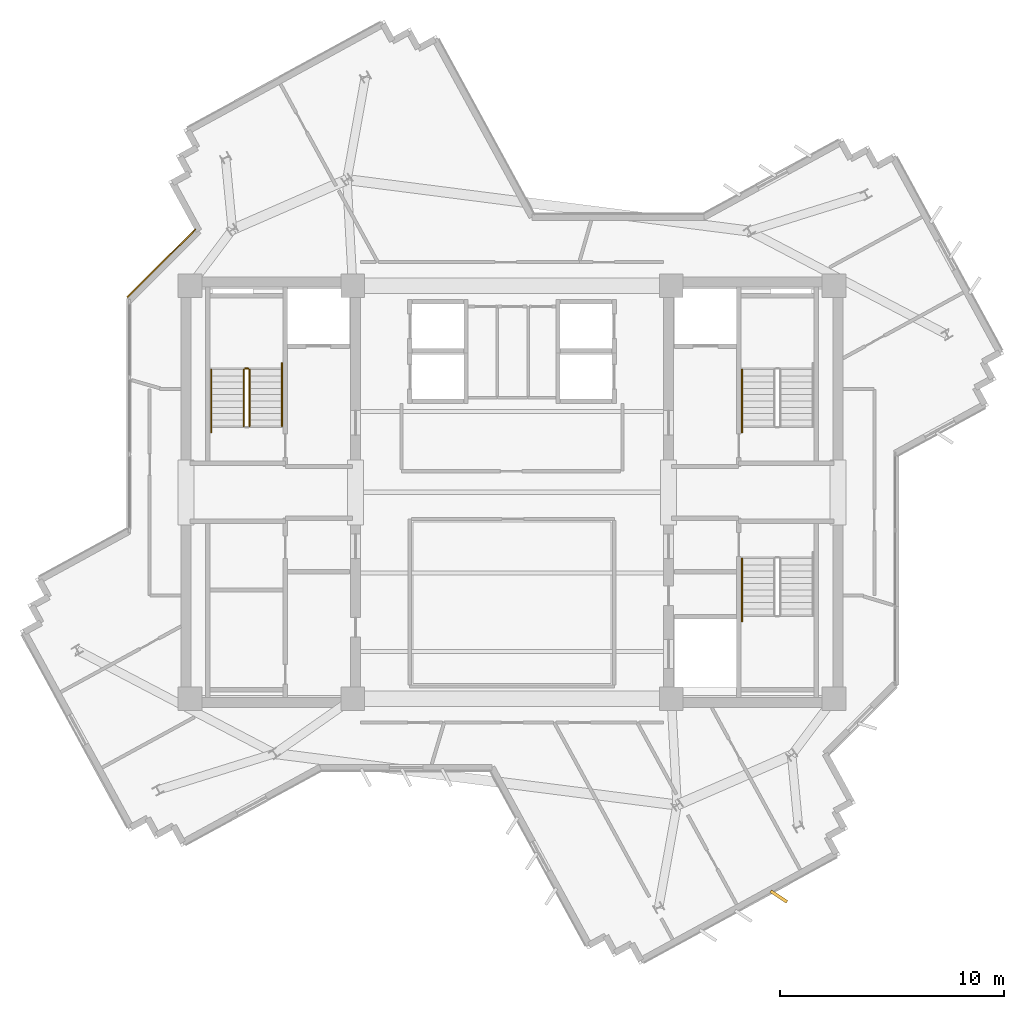
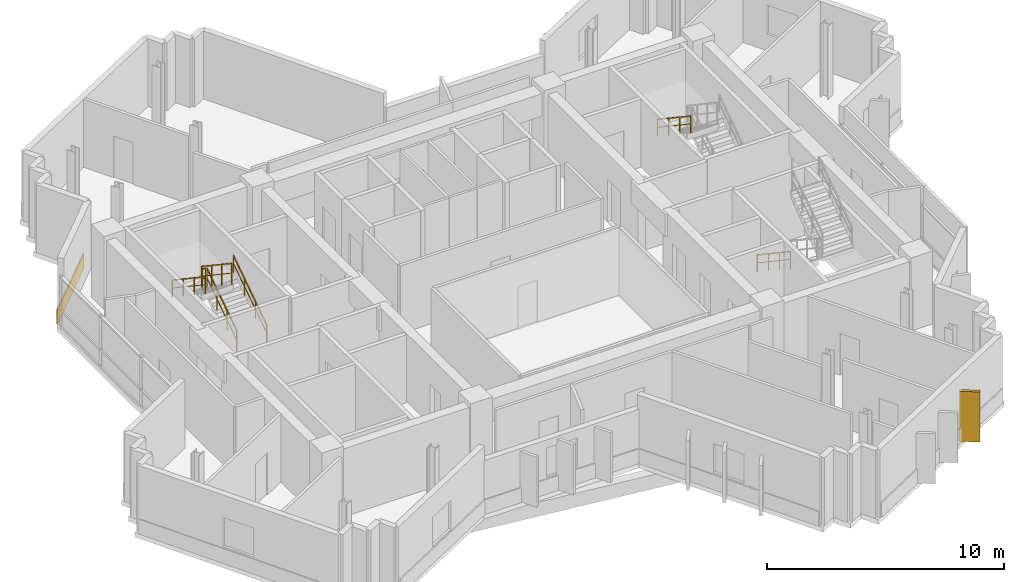
# One storey, part 11 of 13: 7 railings, 2 coverings.
"""IFC4 building model written with IfcOpenShell, lengths in metres."""

import ifcopenshell
import ifcopenshell.guid

model = None  # the IFC model being written
_history = None  # IfcOwnerHistory: only IFC2X3 demands one
_inside = {}  # id of a spatial element -> (the spatial element, [elements in it])
_under = {}  # id of a project, library or spatial element -> (it, [spatial elements below it])
_declared = {}  # id of a project -> (the project, [libraries it declares])
_typed = {}  # id of a type object -> (the type object, [elements of that type])
_made_of = {}  # id of a material, layer set ... -> (it, [elements and type objects made of it])


def new_model(schema):
    """Start an empty IFC model of exactly this schema.

    Asked for "IFC4X3", IfcOpenShell would pick the latest addendum, in which some entities
    have other attributes; the version numbers below select the first issue.
    IFC2X3 requires an IfcOwnerHistory on every rooted entity: one is made here for all.
    """
    global model, _history
    if schema == "IFC4X3":
        model = ifcopenshell.file(schema_version=(4, 3, 0, 0))
    else:
        model = ifcopenshell.file(schema=schema)
    _inside.clear()
    _under.clear()
    _declared.clear()
    _typed.clear()
    _made_of.clear()
    _history = None
    if model.schema == "IFC2X3":
        org = make("IfcOrganization", Name="unknown")
        user = make(
            "IfcPersonAndOrganization",
            ThePerson=make("IfcPerson", FamilyName="unknown"),
            TheOrganization=org,
        )
        app = make(
            "IfcApplication",
            ApplicationDeveloper=org,
            Version="unknown",
            ApplicationFullName="unknown",
            ApplicationIdentifier="unknown",
        )
        _history = make(
            "IfcOwnerHistory",
            OwningUser=user,
            OwningApplication=app,
            ChangeAction="ADDED",
            CreationDate=0,
        )
    return model


def make(cls, **values):
    """One entity of the class cls with the attributes given. An attribute that is None is left unset."""
    return model.create_entity(
        cls, **{name: value for name, value in values.items() if value is not None}
    )


def rooted(cls, **values):
    """An entity with a GlobalId (a new one), such as an element, a storey or a relation."""
    return make(cls, GlobalId=ifcopenshell.guid.new(), OwnerHistory=_history, **values)


def si_unit(unit_type, name, prefix=None):
    """IfcSIUnit, for example si_unit("LENGTHUNIT", "METRE", prefix="MILLI")."""
    return make("IfcSIUnit", UnitType=unit_type, Prefix=prefix, Name=name)


def assignment(units):
    """IfcUnitAssignment: the units of a project."""
    return None if units is None else make("IfcUnitAssignment", Units=units)


def point(xyz):
    """IfcCartesianPoint."""
    return None if xyz is None else make("IfcCartesianPoint", Coordinates=xyz)


def direction(xyz):
    """IfcDirection."""
    return None if xyz is None else make("IfcDirection", DirectionRatios=xyz)


def frame(location, z_axis=None, x_axis=None):
    """IfcAxis2Placement3D, a coordinate frame: its origin and axes. An axis left out is left unset."""
    return make(
        "IfcAxis2Placement3D",
        Location=point(location),
        Axis=direction(z_axis),
        RefDirection=direction(x_axis),
    )


def frame_2d(location, x_axis=None):
    """IfcAxis2Placement2D, a coordinate frame in the plane: its origin and x axis."""
    return make(
        "IfcAxis2Placement2D", Location=point(location), RefDirection=direction(x_axis)
    )


def origin():
    """The frame at (0, 0, 0) with its axes left unset."""
    return frame((0.0, 0.0, 0.0))


def origin_2d():
    """The frame at (0, 0) in the plane with its x axis left unset."""
    return frame_2d((0.0, 0.0))


def place(relative_to, where):
    """IfcLocalPlacement: puts the frame where relative to a parent placement (None: the world)."""
    return make(
        "IfcLocalPlacement", PlacementRelTo=relative_to, RelativePlacement=where
    )


def context(
    kind, dimensions, precision=None, world=None, true_north=None, identifier=None
):
    """IfcGeometricRepresentationContext, for example the 3D "Model" context."""
    return make(
        "IfcGeometricRepresentationContext",
        ContextIdentifier=identifier,
        ContextType=kind,
        CoordinateSpaceDimension=dimensions,
        Precision=precision,
        WorldCoordinateSystem=world,
        TrueNorth=true_north,
    )


def subcontext(parent, identifier, kind, view, scale=None):
    """IfcGeometricRepresentationSubContext, for example "Body" below "Model"."""
    return make(
        "IfcGeometricRepresentationSubContext",
        ContextIdentifier=identifier,
        ContextType=kind,
        ParentContext=parent,
        TargetScale=scale,
        TargetView=view,
    )


def project(units=None, contexts=None):
    """IfcProject with its units and contexts."""
    return rooted(
        "IfcProject",
        Name="project",
        RepresentationContexts=contexts,
        UnitsInContext=assignment(units),
    )


def spatial(cls, under=None, at=None, **own):
    """A site, building, storey or space (cls), placed at a placement, below another one or the project."""
    s = rooted(cls, ObjectPlacement=at, **own)
    if under is not None:
        _under.setdefault(under.id(), (under, []))[1].append(s)
    return s


def profile(cls, at=None, kind="AREA", **sizes):
    """A parametric profile (cls). Its sizes go by their IFC names, for example OverallWidth=200.0."""
    return make(cls, ProfileType=kind, Position=at, **sizes)


def rectangle(**sizes):
    """IfcRectangleProfileDef."""
    return profile("IfcRectangleProfileDef", **sizes)


def extrude(swept, where, along, depth):
    """IfcExtrudedAreaSolid: the profile swept, set in the frame where, extruded along a direction by depth."""
    return make(
        "IfcExtrudedAreaSolid",
        SweptArea=swept,
        Position=where,
        ExtrudedDirection=direction(along),
        Depth=depth,
    )


def shape(context_of_items, identifier, shape_type, items):
    """IfcShapeRepresentation: the items that make up one representation, for example the "Body"."""
    return make(
        "IfcShapeRepresentation",
        ContextOfItems=context_of_items,
        RepresentationIdentifier=identifier,
        RepresentationType=shape_type,
        Items=items,
    )


def source(mapping_origin, context_of_items, identifier, shape_type, items):
    """IfcRepresentationMap: a shape defined once, which mapped items show again and again."""
    return make(
        "IfcRepresentationMap",
        MappingOrigin=mapping_origin,
        MappedRepresentation=shape(context_of_items, identifier, shape_type, items),
    )


def transform(
    local_origin,
    x_axis=None,
    y_axis=None,
    z_axis=None,
    scale=None,
    scale2=None,
    scale3=None,
    uniform=True,
):
    """IfcCartesianTransformationOperator3D, or its non-uniform kind. x_axis, y_axis, z_axis: its Axis1, 2, 3."""
    if uniform:
        return make(
            "IfcCartesianTransformationOperator3D",
            Axis1=direction(x_axis),
            Axis2=direction(y_axis),
            LocalOrigin=point(local_origin),
            Scale=scale,
            Axis3=direction(z_axis),
        )
    return make(
        "IfcCartesianTransformationOperator3DnonUniform",
        Axis1=direction(x_axis),
        Axis2=direction(y_axis),
        LocalOrigin=point(local_origin),
        Scale=scale,
        Axis3=direction(z_axis),
        Scale2=scale2,
        Scale3=scale3,
    )


def mapped(mapping_source, mapping_target):
    """IfcMappedItem: shows the shape of a source again, moved by a transform."""
    return make(
        "IfcMappedItem", MappingSource=mapping_source, MappingTarget=mapping_target
    )


def material(Name=None, Category=None):
    """IfcMaterial."""
    return make("IfcMaterial", Name=Name, Category=Category)


def layer(
    of_material, thickness, ventilated=None, Name=None, Category=None, Priority=None
):
    """IfcMaterialLayer: one layer of a wall or slab, of a material (None: an air gap)."""
    return make(
        "IfcMaterialLayer",
        Material=of_material,
        LayerThickness=thickness,
        IsVentilated=ventilated,
        Name=Name,
        Category=Category,
        Priority=Priority,
    )


def layer_set(layers, Name=None):
    """IfcMaterialLayerSet."""
    return make("IfcMaterialLayerSet", MaterialLayers=layers, LayerSetName=Name)


def made_of(thing, what):
    """Note that an element or type object is made of a material, layer set ...; save() writes the relation."""
    if what is not None:
        _made_of.setdefault(what.id(), (what, []))[1].append(thing)
    return thing


def type_object(cls, material=None, **own):
    """A type object (cls), such as IfcWallType, which elements share."""
    return made_of(rooted(cls, **own), material)


def element(
    cls,
    number,
    at=None,
    inside=None,
    cuts=None,
    type_object=None,
    material=None,
    context=None,
    identifier="Body",
    shape_type=None,
    held_by="IfcProductDefinitionShape",
    body=None,
    shapes=None,
    **own,
):
    """One element of the class cls, such as IfcWall. Its Tag is "e" and its number.

    at: its placement. inside: the storey or other place that contains it. cuts: it is an
    opening in that element (IfcRelVoidsElement). A single representation is given by context,
    identifier, shape_type and body (its items); several are given by shapes. held_by: the class
    of the entity that holds the representations. save() writes the other relations.
    """
    e = rooted(cls, Tag="e%d" % number, ObjectPlacement=at, **own)
    if body is not None:
        shapes = [shape(context, identifier, shape_type, body)]
    if shapes is not None:
        e.Representation = make(held_by, Representations=shapes)
    if inside is not None:
        _inside.setdefault(inside.id(), (inside, []))[1].append(e)
    if cuts is not None:
        rooted(
            "IfcRelVoidsElement", RelatingBuildingElement=cuts, RelatedOpeningElement=e
        )
    if type_object is not None:
        _typed.setdefault(type_object.id(), (type_object, []))[1].append(e)
    return made_of(e, material)


def aggregate(whole, parts):
    """IfcRelAggregates: a whole, such as a stair, and the parts it consists of."""
    return rooted("IfcRelAggregates", RelatingObject=whole, RelatedObjects=parts)


def save(model, path):
    """Write the relations noted so far, then the file.

    IfcRelAggregates (storeys below a building ...), IfcRelContainedInSpatialStructure (elements
    in a storey), IfcRelDefinesByType, IfcRelAssociatesMaterial and IfcRelDeclares: one each for
    every whole, place, type object, material and project.
    """
    for whole, parts in _under.values():
        aggregate(whole, parts)
    for where, things in _inside.values():
        rooted(
            "IfcRelContainedInSpatialStructure",
            RelatedElements=things,
            RelatingStructure=where,
        )
    for kind, things in _typed.values():
        rooted("IfcRelDefinesByType", RelatedObjects=things, RelatingType=kind)
    for what, things in _made_of.values():
        rooted("IfcRelAssociatesMaterial", RelatedObjects=things, RelatingMaterial=what)
    for by, libraries in _declared.values():
        rooted("IfcRelDeclares", RelatingContext=by, RelatedDefinitions=libraries)
    model.write(path)


model = new_model("IFC4")

# Units and contexts
model_context = context("Model", 3, precision=1e-05, world=origin(), true_north=direction((0.0, 1.0)))
body_context = subcontext(model_context, "Body", "Model", "MODEL_VIEW")
ifc_project = project(units=[si_unit("LENGTHUNIT", "METRE"), si_unit("AREAUNIT", "SQUARE_METRE"), si_unit("VOLUMEUNIT", "CUBIC_METRE"), si_unit("PLANEANGLEUNIT", "RADIAN"), si_unit("MASSUNIT", "GRAM", prefix="KILO")], contexts=[model_context])

# Site, building, storey
site_placement = place(None, origin())
site = spatial("IfcSite", under=ifc_project, at=site_placement, CompositionType="ELEMENT")
building_placement = place(site_placement, origin())
building = spatial("IfcBuilding", under=site, at=building_placement, Name="Zahravan Cultural Tower", CompositionType="ELEMENT")
storey_placement = place(building_placement, frame((0.0, 0.0, 257.85009765625)))
storey = spatial("IfcBuildingStorey", under=building, at=storey_placement, Name="L61", CompositionType="ELEMENT", Elevation=257.85009765625)

# Railings
ifc_material_1 = material(Name="Steel ASTM A572 Grade 50", Category="steel")
railing_type_1 = type_object("IfcRailingType", Name="RL-STAIR-GRD1150", PredefinedType="BALUSTRADE", material=ifc_material_1)
railing_1_placement = place(storey_placement, frame((24.300048828125, 29.949951171875, 0.1875)))
element("IfcRailing", 1, at=railing_1_placement, inside=storey, type_object=railing_type_1, Name="L61 ST-W1 stair guard 1", PredefinedType="BALUSTRADE", context=body_context, shape_type="SweptSolid", body=[
    extrude(rectangle(XDim=0.05, YDim=0.05, at=origin_2d()), frame((0.0, 0.0, 1.0751953125), z_axis=(0.0, 0.830909170722, 0.55640807867), x_axis=(-1.0, 0.0, 0.0)), (0.0, 0.0, 1.0), 3.032958984375),
    extrude(rectangle(XDim=0.032, YDim=0.032, at=origin_2d()), frame((0.0, 0.0, 0.572021484375), z_axis=(0.0, 0.830909170722, 0.55640807867), x_axis=(-1.0, 0.0, 0.0)), (0.0, 0.0, 1.0), 3.032958984375),
    extrude(rectangle(XDim=0.04, YDim=0.04, at=origin_2d()), origin(), (0.0, 0.0, 1.0), 1.10009765625),
    extrude(rectangle(XDim=0.04, YDim=0.04, at=origin_2d()), frame((0.0, 0.840087890625, 0.5625)), (0.0, 0.0, 1.0), 1.10009765625),
    extrude(rectangle(XDim=0.04, YDim=0.04, at=origin_2d()), frame((0.0, 1.679931640625, 1.125)), (0.0, 0.0, 1.0), 1.10009765625),
    extrude(rectangle(XDim=0.04, YDim=0.04, at=origin_2d()), frame((0.0, 2.52001953125, 1.6875)), (0.0, 0.0, 1.0), 1.10009765625),
])
railing_2_placement = place(storey_placement, frame((24.25, 32.52001953125, 1.875)))
element("IfcRailing", 2, at=railing_2_placement, inside=storey, type_object=railing_type_1, Name="L61 ST-W1 stair guard 2", PredefinedType="BALUSTRADE", context=body_context, shape_type="SweptSolid", body=[
    extrude(rectangle(XDim=0.05, YDim=0.05, at=origin_2d()), frame((0.0, 0.0, 1.0751953125), z_axis=(-1.0, 0.0, 0.0), x_axis=(0.0, -1.0, 0.0)), (0.0, 0.0, 1.0), 0.14990234375),
    extrude(rectangle(XDim=0.032, YDim=0.032, at=origin_2d()), frame((0.0, 0.0, 0.572021484375), z_axis=(-1.0, 0.0, 0.0), x_axis=(0.0, -1.0, 0.0)), (0.0, 0.0, 1.0), 0.14990234375),
    extrude(rectangle(XDim=0.04, YDim=0.04, at=origin_2d()), origin(), (0.0, 0.0, 1.0), 1.10009765625),
    extrude(rectangle(XDim=0.04, YDim=0.04, at=origin_2d()), frame((-0.14990234375, 0.0, 0.0)), (0.0, 0.0, 1.0), 1.10009765625),
])
railing_3_placement = place(storey_placement, frame((24.050048828125, 32.469970703125, 2.0625)))
element("IfcRailing", 3, at=railing_3_placement, inside=storey, type_object=railing_type_1, Name="L61 ST-W1 stair guard 3", PredefinedType="BALUSTRADE", context=body_context, shape_type="SweptSolid", body=[
    extrude(rectangle(XDim=0.05, YDim=0.05, at=origin_2d()), frame((0.0, 0.0, 1.0751953125), z_axis=(0.0, -0.830909170722, 0.55640807867), x_axis=(1.0, 0.0, 0.0)), (0.0, 0.0, 1.0), 3.032958984375),
    extrude(rectangle(XDim=0.032, YDim=0.032, at=origin_2d()), frame((0.0, 0.0, 0.572021484375), z_axis=(0.0, -0.830909170722, 0.55640807867), x_axis=(1.0, 0.0, 0.0)), (0.0, 0.0, 1.0), 3.032958984375),
    extrude(rectangle(XDim=0.04, YDim=0.04, at=origin_2d()), origin(), (0.0, 0.0, 1.0), 1.10009765625),
    extrude(rectangle(XDim=0.04, YDim=0.04, at=origin_2d()), frame((0.0, -0.840087890625, 0.5625)), (0.0, 0.0, 1.0), 1.10009765625),
    extrude(rectangle(XDim=0.04, YDim=0.04, at=origin_2d()), frame((0.0, -1.679931640625, 1.125)), (0.0, 0.0, 1.0), 1.10009765625),
    extrude(rectangle(XDim=0.04, YDim=0.04, at=origin_2d()), frame((0.0, -2.52001953125, 1.6875)), (0.0, 0.0, 1.0), 1.10009765625),
])
railing_type_2 = type_object("IfcRailingType", Name="RL-STAIR-HR900", PredefinedType="HANDRAIL", material=ifc_material_1)
railing_4_placement = place(storey_placement, frame((25.75, 29.949951171875, 0.1875)))
element("IfcRailing", 4, at=railing_4_placement, inside=storey, type_object=railing_type_2, Name="L61 ST-W1 stair handrail 1", PredefinedType="HANDRAIL", context=body_context, shape_type="SweptSolid", body=[
    extrude(rectangle(XDim=0.05, YDim=0.05, at=origin_2d()), frame((0.0, 0.0, 0.875), z_axis=(0.0, 0.830911662861, 0.55640435703), x_axis=(-1.0, 0.0, 0.0)), (0.0, 0.0, 1.0), 3.369873046875),
    extrude(rectangle(XDim=0.032, YDim=0.032, at=origin_2d()), frame((0.0, 0.0, 0.468017578125), z_axis=(0.0, 0.830911662861, 0.55640435703), x_axis=(-1.0, 0.0, 0.0)), (0.0, 0.0, 1.0), 3.369873046875),
    extrude(rectangle(XDim=0.04, YDim=0.04, at=origin_2d()), origin(), (0.0, 0.0, 1.0), 0.89990234375),
    extrude(rectangle(XDim=0.04, YDim=0.04, at=origin_2d()), frame((0.0, 0.933349609375, 0.625)), (0.0, 0.0, 1.0), 0.89990234375),
    extrude(rectangle(XDim=0.04, YDim=0.04, at=origin_2d()), frame((0.0, 1.86669921875, 1.25)), (0.0, 0.0, 1.0), 0.89990234375),
    extrude(rectangle(XDim=0.04, YDim=0.04, at=origin_2d()), frame((0.0, 2.800048828125, 1.875)), (0.0, 0.0, 1.0), 0.89990234375),
])
for number, where, name in (
    (5, (22.60009765625, 32.469970703125, 2.0625), "L61 ST-W1 stair handrail 2"),
    (6, (46.25, 32.469970703125, 2.0625), "L61 ST-E1 stair handrail 2"),
    (7, (46.25, 24.050048828125, 0.1875), "L61 ST-E2 stair handrail 1"),
):
    element("IfcRailing", number, at=place(storey_placement, frame(where)), inside=storey, type_object=railing_type_2, Name=name, PredefinedType="HANDRAIL", context=body_context, shape_type="SweptSolid", body=[
        extrude(rectangle(XDim=0.05, YDim=0.05, at=origin_2d()), frame((0.0, 0.0, 0.875), z_axis=(0.0, -0.830911662861, 0.55640435703), x_axis=(1.0, 0.0, 0.0)), (0.0, 0.0, 1.0), 3.369873046875),
        extrude(rectangle(XDim=0.032, YDim=0.032, at=origin_2d()), frame((0.0, 0.0, 0.468017578125), z_axis=(0.0, -0.830911662861, 0.55640435703), x_axis=(1.0, 0.0, 0.0)), (0.0, 0.0, 1.0), 3.369873046875),
        extrude(rectangle(XDim=0.04, YDim=0.04, at=origin_2d()), origin(), (0.0, 0.0, 1.0), 0.89990234375),
        extrude(rectangle(XDim=0.04, YDim=0.04, at=origin_2d()), frame((0.0, -0.933349609375, 0.625)), (0.0, 0.0, 1.0), 0.89990234375),
        extrude(rectangle(XDim=0.04, YDim=0.04, at=origin_2d()), frame((0.0, -1.86669921875, 1.25)), (0.0, 0.0, 1.0), 0.89990234375),
        extrude(rectangle(XDim=0.04, YDim=0.04, at=origin_2d()), frame((0.0, -2.800048828125, 1.875)), (0.0, 0.0, 1.0), 0.89990234375),
    ])

# Coverings
ifc_material_2 = material(Name="Terracotta ceramic cladding", Category="masonry")
ifc_layer = layer(ifc_material_2, 0.06005859375)
ifc_layer_set = layer_set([ifc_layer], Name="Terracotta ceramic cladding")
covering_type = type_object("IfcCoveringType", Name="COV-CLAD-TC60", PredefinedType="CLADDING", material=ifc_layer_set)
shared_shape_1 = source(origin(), body_context, "Body", "SweptSolid", [
    extrude(rectangle(XDim=0.8798828125, YDim=0.139892578125, at=origin_2d()), origin(), (0.0, 0.0, 1.0), 2.580078125),
])
covering_1_placement = place(storey_placement, frame((47.892578125, 8.986572265625, 0.0498046875), z_axis=(0.0, 0.0, 1.0), x_axis=(0.835327930385, -0.549751988372, 0.0)))
element("IfcCovering", 8, at=covering_1_placement, inside=storey, type_object=covering_type, Name="L61 Herringbone Terracotta Fin 09", PredefinedType="CLADDING", context=body_context, shape_type="MappedRepresentation", body=[
    mapped(shared_shape_1, transform((0.0, 0.0, 0.0), x_axis=(1.0, 0.0, 0.0), y_axis=(0.0, 1.0, 0.0), z_axis=(0.0, 0.0, 1.0), scale=1.0)),
])
shared_shape_2 = source(origin(), body_context, "Body", "SweptSolid", [
    extrude(rectangle(XDim=4.29345703125, YDim=0.06005859375, at=origin_2d()), origin(), (0.0, 0.0, 1.0), 0.760009765625),
])
covering_2_placement = place(storey_placement, frame((20.376708984375, 37.2119140625, 0.02001953125), z_axis=(0.0, 0.0, 1.0), x_axis=(0.707106781187, 0.707106781187, 0.0)))
element("IfcCovering", 9, at=covering_2_placement, inside=storey, type_object=covering_type, Name="L61 Terracotta Spandrel Cladding 36", PredefinedType="CLADDING", context=body_context, shape_type="MappedRepresentation", body=[
    mapped(shared_shape_2, transform((0.0, 0.0, 0.0), x_axis=(1.0, 0.0, 0.0), y_axis=(0.0, 1.0, 0.0), z_axis=(0.0, 0.0, 1.0), scale=1.0)),
])

save(model, "model.ifc")
